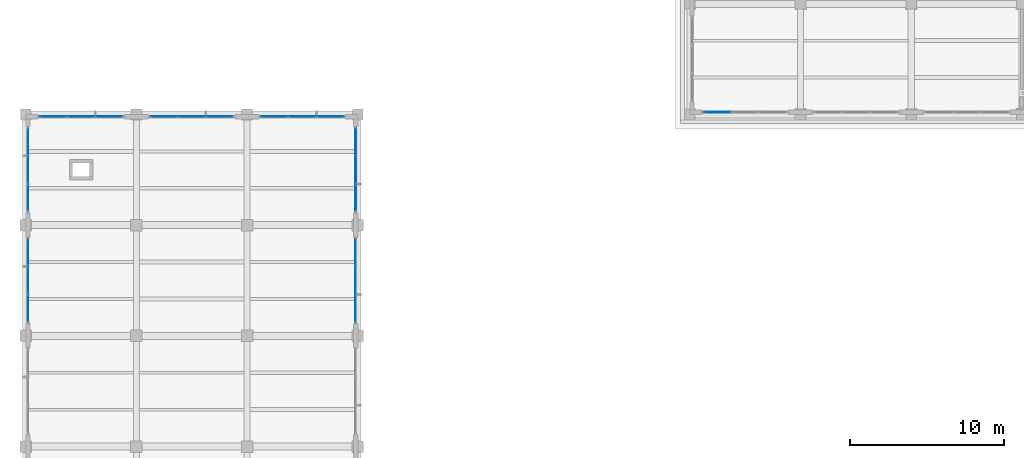
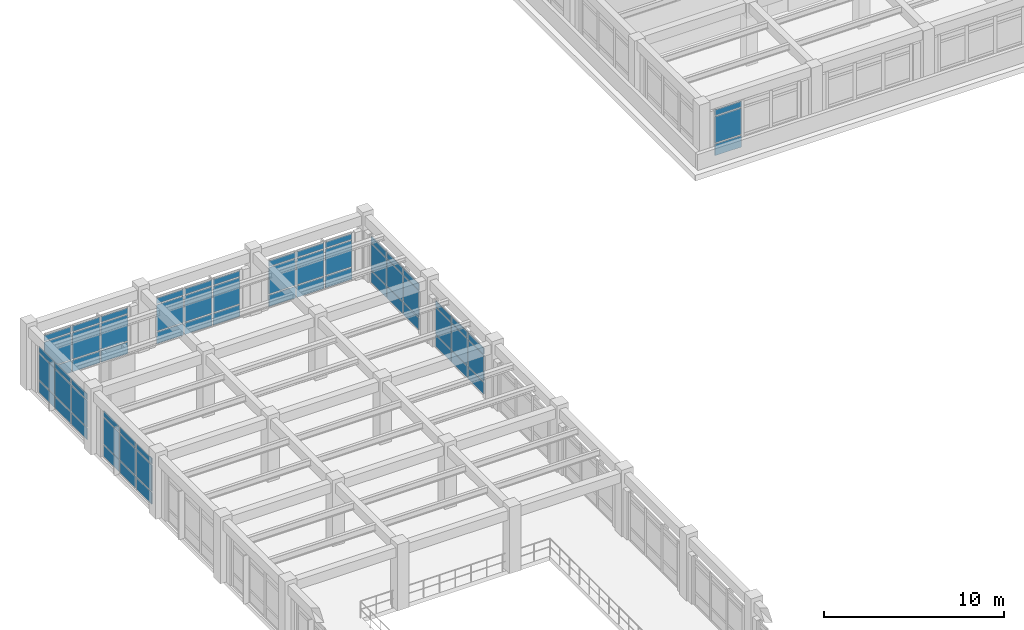
# One storey, part 40 of 64: 66 plates, 8 elements without a shape of their own.
"""IFC4 building model written with IfcOpenShell, lengths in metres."""

from ifc_helpers import new_model, si_unit, direction, frame, origin, origin_2d, place, context, subcontext, project, spatial, rectangle, extrude, material, layer, layer_set, type_object, element, aggregate, save


model = new_model("IFC4")

# Units and contexts
model_context = context("Model", 3, precision=1e-05, world=origin(), true_north=direction((0.0, 1.0)))
body_context = subcontext(model_context, "Body", "Model", "MODEL_VIEW")
ifc_project = project(units=[si_unit("LENGTHUNIT", "METRE"), si_unit("AREAUNIT", "SQUARE_METRE"), si_unit("VOLUMEUNIT", "CUBIC_METRE"), si_unit("PLANEANGLEUNIT", "RADIAN"), si_unit("MASSUNIT", "GRAM", prefix="KILO")], contexts=[model_context])

# Site, building, storey
site_placement = place(None, origin())
site = spatial("IfcSite", under=ifc_project, at=site_placement, CompositionType="ELEMENT")
building_placement = place(site_placement, origin())
building = spatial("IfcBuilding", under=site, at=building_placement, Name="Solenvale Faculty of Natural Sciences", CompositionType="ELEMENT")
storey_placement = place(building_placement, frame((0.0, 0.0, 18.0)))
storey = spatial("IfcBuildingStorey", under=building, at=storey_placement, Name="L04", CompositionType="ELEMENT", Elevation=18.0)

# Curtain wall, plates
ifc_material_1 = material(Name="Anodised bronze aluminium", Category="aluminium")
ifc_layer_1 = layer(ifc_material_1, 0.215087890625)
ifc_layer_set_1 = layer_set([ifc_layer_1], Name="Anodised bronze aluminium")
curtain_wall_type_1 = type_object("IfcCurtainWallType", Name="CW-ATR-UNIT", PredefinedType="USERDEFINED", material=ifc_layer_set_1)
curtain_wall_1_placement = place(storey_placement, origin())
curtain_wall_1 = element("IfcCurtainWall", 1, at=curtain_wall_1_placement, inside=storey, type_object=curtain_wall_type_1, Name="L04 Curtain Wall CW-L04-P1-E2-B1", ObjectType="UNITISED CURTAIN WALL", PredefinedType="USERDEFINED")
ifc_material_2 = material(Name="North-light skylight glass", Category="glass")
ifc_layer_2 = layer(ifc_material_2, 0.028076171875)
ifc_layer_set_2 = layer_set([ifc_layer_2], Name="North-light skylight glass")
plate_type_1 = type_object("IfcPlateType", Name="CWP-PNL-28", PredefinedType="CURTAIN_PANEL", material=ifc_layer_set_2)
plate_1_placement = place(storey_placement, frame((55.814697265625, 93.45751953125, 0.074951171875), z_axis=(0.0, 0.0, 1.0), x_axis=(-1.0, 0.0, 0.0)))
plate_1 = element("IfcPlate", 2, at=plate_1_placement, type_object=plate_type_1, Name="CW-01 panel 1.1", PredefinedType="CURTAIN_PANEL", context=body_context, shape_type="SweptSolid", body=[
    extrude(rectangle(XDim=1.720947265625, YDim=0.028076171875, at=origin_2d()), origin(), (0.0, 0.0, 1.0), 0.78759765625),
])
plate_2_placement = place(storey_placement, frame((55.814697265625, 93.45751953125, 0.9375), z_axis=(0.0, 0.0, 1.0), x_axis=(-1.0, 0.0, 0.0)))
plate_2 = element("IfcPlate", 3, at=plate_2_placement, type_object=plate_type_1, Name="CW-01 panel 1.2", PredefinedType="CURTAIN_PANEL", context=body_context, shape_type="SweptSolid", body=[
    extrude(rectangle(XDim=1.720947265625, YDim=0.028076171875, at=origin_2d()), origin(), (0.0, 0.0, 1.0), 1.784912109375),
])
plate_3_placement = place(storey_placement, frame((55.814697265625, 93.45751953125, 2.79736328125), z_axis=(0.0, 0.0, 1.0), x_axis=(-1.0, 0.0, 0.0)))
plate_3 = element("IfcPlate", 4, at=plate_3_placement, type_object=plate_type_1, Name="CW-01 panel 1.3", PredefinedType="CURTAIN_PANEL", context=body_context, shape_type="SweptSolid", body=[
    extrude(rectangle(XDim=1.720947265625, YDim=0.028076171875, at=origin_2d()), origin(), (0.0, 0.0, 1.0), 0.387451171875),
])
plate_4_placement = place(storey_placement, frame((54.0, 93.45751953125, 0.074951171875), z_axis=(0.0, 0.0, 1.0), x_axis=(-1.0, 0.0, 0.0)))
plate_4 = element("IfcPlate", 5, at=plate_4_placement, type_object=plate_type_1, Name="CW-01 panel 2.1", PredefinedType="CURTAIN_PANEL", context=body_context, shape_type="SweptSolid", body=[
    extrude(rectangle(XDim=1.75830078125, YDim=0.028076171875, at=origin_2d()), origin(), (0.0, 0.0, 1.0), 0.78759765625),
])
plate_5_placement = place(storey_placement, frame((54.0, 93.45751953125, 0.9375), z_axis=(0.0, 0.0, 1.0), x_axis=(-1.0, 0.0, 0.0)))
plate_5 = element("IfcPlate", 6, at=plate_5_placement, type_object=plate_type_1, Name="CW-01 panel 2.2", PredefinedType="CURTAIN_PANEL", context=body_context, shape_type="SweptSolid", body=[
    extrude(rectangle(XDim=1.75830078125, YDim=0.028076171875, at=origin_2d()), origin(), (0.0, 0.0, 1.0), 1.784912109375),
])
plate_6_placement = place(storey_placement, frame((54.0, 93.45751953125, 2.79736328125), z_axis=(0.0, 0.0, 1.0), x_axis=(-1.0, 0.0, 0.0)))
plate_6 = element("IfcPlate", 7, at=plate_6_placement, type_object=plate_type_1, Name="CW-01 panel 2.3", PredefinedType="CURTAIN_PANEL", context=body_context, shape_type="SweptSolid", body=[
    extrude(rectangle(XDim=1.75830078125, YDim=0.028076171875, at=origin_2d()), origin(), (0.0, 0.0, 1.0), 0.387451171875),
])
plate_7_placement = place(storey_placement, frame((52.185302734375, 93.45751953125, 0.074951171875), z_axis=(0.0, 0.0, 1.0), x_axis=(-1.0, 0.0, 0.0)))
plate_7 = element("IfcPlate", 8, at=plate_7_placement, type_object=plate_type_1, Name="CW-01 panel 3.1", PredefinedType="CURTAIN_PANEL", context=body_context, shape_type="SweptSolid", body=[
    extrude(rectangle(XDim=1.720947265625, YDim=0.028076171875, at=origin_2d()), origin(), (0.0, 0.0, 1.0), 0.78759765625),
])
plate_8_placement = place(storey_placement, frame((52.185302734375, 93.45751953125, 0.9375), z_axis=(0.0, 0.0, 1.0), x_axis=(-1.0, 0.0, 0.0)))
plate_8 = element("IfcPlate", 9, at=plate_8_placement, type_object=plate_type_1, Name="CW-01 panel 3.2", PredefinedType="CURTAIN_PANEL", context=body_context, shape_type="SweptSolid", body=[
    extrude(rectangle(XDim=1.720947265625, YDim=0.028076171875, at=origin_2d()), origin(), (0.0, 0.0, 1.0), 1.784912109375),
])
plate_9_placement = place(storey_placement, frame((52.185302734375, 93.45751953125, 2.79736328125), z_axis=(0.0, 0.0, 1.0), x_axis=(-1.0, 0.0, 0.0)))
plate_9 = element("IfcPlate", 10, at=plate_9_placement, type_object=plate_type_1, Name="CW-01 panel 3.3", PredefinedType="CURTAIN_PANEL", context=body_context, shape_type="SweptSolid", body=[
    extrude(rectangle(XDim=1.720947265625, YDim=0.028076171875, at=origin_2d()), origin(), (0.0, 0.0, 1.0), 0.387451171875),
])
aggregate(curtain_wall_1, [plate_1, plate_2, plate_3, plate_4, plate_5, plate_6, plate_7, plate_8, plate_9])

curtain_wall_2_placement = place(storey_placement, origin())
curtain_wall_2 = element("IfcCurtainWall", 11, at=curtain_wall_2_placement, inside=storey, type_object=curtain_wall_type_1, Name="L04 Curtain Wall CW-L04-P1-E2-B2", ObjectType="UNITISED CURTAIN WALL", PredefinedType="USERDEFINED")
ifc_material_3 = material(Name="Triple low-E insulated glass", Category="glass")
ifc_layer_3 = layer(ifc_material_3, 0.031982421875)
ifc_layer_set_3 = layer_set([ifc_layer_3], Name="Triple low-E insulated glass")
plate_type_2 = type_object("IfcPlateType", Name="CWP-PNL-32", PredefinedType="CURTAIN_PANEL", material=ifc_layer_set_3)
plate_10_placement = place(storey_placement, frame((48.614501953125, 93.45751953125, 0.074951171875), z_axis=(0.0, 0.0, 1.0), x_axis=(-1.0, 0.0, 0.0)))
plate_10 = element("IfcPlate", 12, at=plate_10_placement, type_object=plate_type_2, Name="CW-01 panel 1.1", PredefinedType="CURTAIN_PANEL", context=body_context, shape_type="SweptSolid", body=[
    extrude(rectangle(XDim=1.720947265625, YDim=0.031982421875, at=origin_2d()), origin(), (0.0, 0.0, 1.0), 0.78759765625),
])
plate_11_placement = place(storey_placement, frame((48.614501953125, 93.45751953125, 0.9375), z_axis=(0.0, 0.0, 1.0), x_axis=(-1.0, 0.0, 0.0)))
plate_11 = element("IfcPlate", 13, at=plate_11_placement, type_object=plate_type_2, Name="CW-01 panel 1.2", PredefinedType="CURTAIN_PANEL", context=body_context, shape_type="SweptSolid", body=[
    extrude(rectangle(XDim=1.720947265625, YDim=0.031982421875, at=origin_2d()), origin(), (0.0, 0.0, 1.0), 1.784912109375),
])
plate_12_placement = place(storey_placement, frame((48.614501953125, 93.45751953125, 2.79736328125), z_axis=(0.0, 0.0, 1.0), x_axis=(-1.0, 0.0, 0.0)))
plate_12 = element("IfcPlate", 14, at=plate_12_placement, type_object=plate_type_2, Name="CW-01 panel 1.3", PredefinedType="CURTAIN_PANEL", context=body_context, shape_type="SweptSolid", body=[
    extrude(rectangle(XDim=1.720947265625, YDim=0.031982421875, at=origin_2d()), origin(), (0.0, 0.0, 1.0), 0.387451171875),
])
plate_13_placement = place(storey_placement, frame((46.800048828125, 93.45751953125, 0.074951171875), z_axis=(0.0, 0.0, 1.0), x_axis=(-1.0, 0.0, 0.0)))
plate_13 = element("IfcPlate", 15, at=plate_13_placement, type_object=plate_type_2, Name="CW-01 panel 2.1", PredefinedType="CURTAIN_PANEL", context=body_context, shape_type="SweptSolid", body=[
    extrude(rectangle(XDim=1.75830078125, YDim=0.031982421875, at=origin_2d()), origin(), (0.0, 0.0, 1.0), 0.78759765625),
])
plate_14_placement = place(storey_placement, frame((46.800048828125, 93.45751953125, 0.9375), z_axis=(0.0, 0.0, 1.0), x_axis=(-1.0, 0.0, 0.0)))
plate_14 = element("IfcPlate", 16, at=plate_14_placement, type_object=plate_type_2, Name="CW-01 panel 2.2", PredefinedType="CURTAIN_PANEL", context=body_context, shape_type="SweptSolid", body=[
    extrude(rectangle(XDim=1.75830078125, YDim=0.031982421875, at=origin_2d()), origin(), (0.0, 0.0, 1.0), 1.784912109375),
])
plate_15_placement = place(storey_placement, frame((46.800048828125, 93.45751953125, 2.79736328125), z_axis=(0.0, 0.0, 1.0), x_axis=(-1.0, 0.0, 0.0)))
plate_15 = element("IfcPlate", 17, at=plate_15_placement, type_object=plate_type_2, Name="CW-01 panel 2.3", PredefinedType="CURTAIN_PANEL", context=body_context, shape_type="SweptSolid", body=[
    extrude(rectangle(XDim=1.75830078125, YDim=0.031982421875, at=origin_2d()), origin(), (0.0, 0.0, 1.0), 0.387451171875),
])
plate_16_placement = place(storey_placement, frame((44.9853515625, 93.45751953125, 0.074951171875), z_axis=(0.0, 0.0, 1.0), x_axis=(-1.0, 0.0, 0.0)))
plate_16 = element("IfcPlate", 18, at=plate_16_placement, type_object=plate_type_2, Name="CW-01 panel 3.1", PredefinedType="CURTAIN_PANEL", context=body_context, shape_type="SweptSolid", body=[
    extrude(rectangle(XDim=1.720947265625, YDim=0.031982421875, at=origin_2d()), origin(), (0.0, 0.0, 1.0), 0.78759765625),
])
plate_17_placement = place(storey_placement, frame((44.9853515625, 93.45751953125, 0.9375), z_axis=(0.0, 0.0, 1.0), x_axis=(-1.0, 0.0, 0.0)))
plate_17 = element("IfcPlate", 19, at=plate_17_placement, type_object=plate_type_2, Name="CW-01 panel 3.2", PredefinedType="CURTAIN_PANEL", context=body_context, shape_type="SweptSolid", body=[
    extrude(rectangle(XDim=1.720947265625, YDim=0.031982421875, at=origin_2d()), origin(), (0.0, 0.0, 1.0), 1.784912109375),
])
plate_18_placement = place(storey_placement, frame((44.9853515625, 93.45751953125, 2.79736328125), z_axis=(0.0, 0.0, 1.0), x_axis=(-1.0, 0.0, 0.0)))
plate_18 = element("IfcPlate", 20, at=plate_18_placement, type_object=plate_type_2, Name="CW-01 panel 3.3", PredefinedType="CURTAIN_PANEL", context=body_context, shape_type="SweptSolid", body=[
    extrude(rectangle(XDim=1.720947265625, YDim=0.031982421875, at=origin_2d()), origin(), (0.0, 0.0, 1.0), 0.387451171875),
])
aggregate(curtain_wall_2, [plate_10, plate_11, plate_12, plate_13, plate_14, plate_15, plate_16, plate_17, plate_18])

curtain_wall_3_placement = place(storey_placement, origin())
curtain_wall_3 = element("IfcCurtainWall", 21, at=curtain_wall_3_placement, inside=storey, type_object=curtain_wall_type_1, Name="L04 Curtain Wall CW-L04-P1-E3-B1", ObjectType="UNITISED CURTAIN WALL", PredefinedType="USERDEFINED")
plate_19_placement = place(storey_placement, frame((36.142578125, 91.814697265625, 0.074951171875), z_axis=(0.0, 0.0, 1.0), x_axis=(0.0, -1.0, 0.0)))
plate_19 = element("IfcPlate", 22, at=plate_19_placement, type_object=plate_type_2, Name="CW-01 panel 1.1", PredefinedType="CURTAIN_PANEL", context=body_context, shape_type="SweptSolid", body=[
    extrude(rectangle(XDim=1.720947265625, YDim=0.031982421875, at=origin_2d()), origin(), (0.0, 0.0, 1.0), 0.78759765625),
])
plate_20_placement = place(storey_placement, frame((36.142578125, 91.814697265625, 0.9375), z_axis=(0.0, 0.0, 1.0), x_axis=(0.0, -1.0, 0.0)))
plate_20 = element("IfcPlate", 23, at=plate_20_placement, type_object=plate_type_2, Name="CW-01 panel 1.2", PredefinedType="CURTAIN_PANEL", context=body_context, shape_type="SweptSolid", body=[
    extrude(rectangle(XDim=1.720947265625, YDim=0.031982421875, at=origin_2d()), origin(), (0.0, 0.0, 1.0), 1.784912109375),
])
plate_21_placement = place(storey_placement, frame((36.142578125, 91.814697265625, 2.79736328125), z_axis=(0.0, 0.0, 1.0), x_axis=(0.0, -1.0, 0.0)))
plate_21 = element("IfcPlate", 24, at=plate_21_placement, type_object=plate_type_2, Name="CW-01 panel 1.3", PredefinedType="CURTAIN_PANEL", context=body_context, shape_type="SweptSolid", body=[
    extrude(rectangle(XDim=1.720947265625, YDim=0.031982421875, at=origin_2d()), origin(), (0.0, 0.0, 1.0), 0.387451171875),
])
plate_22_placement = place(storey_placement, frame((36.142578125, 90.0, 0.074951171875), z_axis=(0.0, 0.0, 1.0), x_axis=(0.0, -1.0, 0.0)))
plate_22 = element("IfcPlate", 25, at=plate_22_placement, type_object=plate_type_2, Name="CW-01 panel 2.1", PredefinedType="CURTAIN_PANEL", context=body_context, shape_type="SweptSolid", body=[
    extrude(rectangle(XDim=1.75830078125, YDim=0.031982421875, at=origin_2d()), origin(), (0.0, 0.0, 1.0), 0.78759765625),
])
plate_23_placement = place(storey_placement, frame((36.142578125, 90.0, 0.9375), z_axis=(0.0, 0.0, 1.0), x_axis=(0.0, -1.0, 0.0)))
plate_23 = element("IfcPlate", 26, at=plate_23_placement, type_object=plate_type_2, Name="CW-01 panel 2.2", PredefinedType="CURTAIN_PANEL", context=body_context, shape_type="SweptSolid", body=[
    extrude(rectangle(XDim=1.75830078125, YDim=0.031982421875, at=origin_2d()), origin(), (0.0, 0.0, 1.0), 1.784912109375),
])
plate_24_placement = place(storey_placement, frame((36.142578125, 90.0, 2.79736328125), z_axis=(0.0, 0.0, 1.0), x_axis=(0.0, -1.0, 0.0)))
plate_24 = element("IfcPlate", 27, at=plate_24_placement, type_object=plate_type_2, Name="CW-01 panel 2.3", PredefinedType="CURTAIN_PANEL", context=body_context, shape_type="SweptSolid", body=[
    extrude(rectangle(XDim=1.75830078125, YDim=0.031982421875, at=origin_2d()), origin(), (0.0, 0.0, 1.0), 0.387451171875),
])
plate_25_placement = place(storey_placement, frame((36.142578125, 88.185302734375, 0.074951171875), z_axis=(0.0, 0.0, 1.0), x_axis=(0.0, -1.0, 0.0)))
plate_25 = element("IfcPlate", 28, at=plate_25_placement, type_object=plate_type_2, Name="CW-01 panel 3.1", PredefinedType="CURTAIN_PANEL", context=body_context, shape_type="SweptSolid", body=[
    extrude(rectangle(XDim=1.720947265625, YDim=0.031982421875, at=origin_2d()), origin(), (0.0, 0.0, 1.0), 0.78759765625),
])
plate_26_placement = place(storey_placement, frame((36.142578125, 88.185302734375, 0.9375), z_axis=(0.0, 0.0, 1.0), x_axis=(0.0, -1.0, 0.0)))
plate_26 = element("IfcPlate", 29, at=plate_26_placement, type_object=plate_type_2, Name="CW-01 panel 3.2", PredefinedType="CURTAIN_PANEL", context=body_context, shape_type="SweptSolid", body=[
    extrude(rectangle(XDim=1.720947265625, YDim=0.031982421875, at=origin_2d()), origin(), (0.0, 0.0, 1.0), 1.784912109375),
])
plate_27_placement = place(storey_placement, frame((36.142578125, 88.185302734375, 2.79736328125), z_axis=(0.0, 0.0, 1.0), x_axis=(0.0, -1.0, 0.0)))
plate_27 = element("IfcPlate", 30, at=plate_27_placement, type_object=plate_type_2, Name="CW-01 panel 3.3", PredefinedType="CURTAIN_PANEL", context=body_context, shape_type="SweptSolid", body=[
    extrude(rectangle(XDim=1.720947265625, YDim=0.031982421875, at=origin_2d()), origin(), (0.0, 0.0, 1.0), 0.387451171875),
])
aggregate(curtain_wall_3, [plate_19, plate_20, plate_21, plate_22, plate_23, plate_24, plate_25, plate_26, plate_27])

curtain_wall_4_placement = place(storey_placement, origin())
curtain_wall_4 = element("IfcCurtainWall", 31, at=curtain_wall_4_placement, inside=storey, type_object=curtain_wall_type_1, Name="L04 Curtain Wall CW-L04-P1-E2-B3", ObjectType="UNITISED CURTAIN WALL", PredefinedType="USERDEFINED")
ifc_layer_4 = layer(ifc_material_3, 0.035888671875)
ifc_layer_set_4 = layer_set([ifc_layer_4], Name="Triple low-E insulated glass")
plate_type_3 = type_object("IfcPlateType", Name="CWP-PNL-36", PredefinedType="CURTAIN_PANEL", material=ifc_layer_set_4)
plate_28_placement = place(storey_placement, frame((41.41455078125, 93.45751953125, 0.074951171875), z_axis=(0.0, 0.0, 1.0), x_axis=(-1.0, 0.0, 0.0)))
plate_28 = element("IfcPlate", 32, at=plate_28_placement, type_object=plate_type_3, Name="CW-01 panel 1.1", PredefinedType="CURTAIN_PANEL", context=body_context, shape_type="SweptSolid", body=[
    extrude(rectangle(XDim=1.720947265625, YDim=0.035888671875, at=origin_2d()), origin(), (0.0, 0.0, 1.0), 0.78759765625),
])
plate_29_placement = place(storey_placement, frame((41.41455078125, 93.45751953125, 0.9375), z_axis=(0.0, 0.0, 1.0), x_axis=(-1.0, 0.0, 0.0)))
plate_29 = element("IfcPlate", 33, at=plate_29_placement, type_object=plate_type_3, Name="CW-01 panel 1.2", PredefinedType="CURTAIN_PANEL", context=body_context, shape_type="SweptSolid", body=[
    extrude(rectangle(XDim=1.720947265625, YDim=0.035888671875, at=origin_2d()), origin(), (0.0, 0.0, 1.0), 1.784912109375),
])
plate_30_placement = place(storey_placement, frame((41.41455078125, 93.45751953125, 2.79736328125), z_axis=(0.0, 0.0, 1.0), x_axis=(-1.0, 0.0, 0.0)))
plate_30 = element("IfcPlate", 34, at=plate_30_placement, type_object=plate_type_3, Name="CW-01 panel 1.3", PredefinedType="CURTAIN_PANEL", context=body_context, shape_type="SweptSolid", body=[
    extrude(rectangle(XDim=1.720947265625, YDim=0.035888671875, at=origin_2d()), origin(), (0.0, 0.0, 1.0), 0.387451171875),
])
plate_31_placement = place(storey_placement, frame((39.60009765625, 93.45751953125, 0.074951171875), z_axis=(0.0, 0.0, 1.0), x_axis=(-1.0, 0.0, 0.0)))
plate_31 = element("IfcPlate", 35, at=plate_31_placement, type_object=plate_type_3, Name="CW-01 panel 2.1", PredefinedType="CURTAIN_PANEL", context=body_context, shape_type="SweptSolid", body=[
    extrude(rectangle(XDim=1.75830078125, YDim=0.035888671875, at=origin_2d()), origin(), (0.0, 0.0, 1.0), 0.78759765625),
])
plate_32_placement = place(storey_placement, frame((39.60009765625, 93.45751953125, 0.9375), z_axis=(0.0, 0.0, 1.0), x_axis=(-1.0, 0.0, 0.0)))
plate_32 = element("IfcPlate", 36, at=plate_32_placement, type_object=plate_type_3, Name="CW-01 panel 2.2", PredefinedType="CURTAIN_PANEL", context=body_context, shape_type="SweptSolid", body=[
    extrude(rectangle(XDim=1.75830078125, YDim=0.035888671875, at=origin_2d()), origin(), (0.0, 0.0, 1.0), 1.784912109375),
])
plate_33_placement = place(storey_placement, frame((39.60009765625, 93.45751953125, 2.79736328125), z_axis=(0.0, 0.0, 1.0), x_axis=(-1.0, 0.0, 0.0)))
plate_33 = element("IfcPlate", 37, at=plate_33_placement, type_object=plate_type_3, Name="CW-01 panel 2.3", PredefinedType="CURTAIN_PANEL", context=body_context, shape_type="SweptSolid", body=[
    extrude(rectangle(XDim=1.75830078125, YDim=0.035888671875, at=origin_2d()), origin(), (0.0, 0.0, 1.0), 0.387451171875),
])
plate_34_placement = place(storey_placement, frame((37.785400390625, 93.45751953125, 0.074951171875), z_axis=(0.0, 0.0, 1.0), x_axis=(-1.0, 0.0, 0.0)))
plate_34 = element("IfcPlate", 38, at=plate_34_placement, type_object=plate_type_3, Name="CW-01 panel 3.1", PredefinedType="CURTAIN_PANEL", context=body_context, shape_type="SweptSolid", body=[
    extrude(rectangle(XDim=1.720947265625, YDim=0.035888671875, at=origin_2d()), origin(), (0.0, 0.0, 1.0), 0.78759765625),
])
plate_35_placement = place(storey_placement, frame((37.785400390625, 93.45751953125, 0.9375), z_axis=(0.0, 0.0, 1.0), x_axis=(-1.0, 0.0, 0.0)))
plate_35 = element("IfcPlate", 39, at=plate_35_placement, type_object=plate_type_3, Name="CW-01 panel 3.2", PredefinedType="CURTAIN_PANEL", context=body_context, shape_type="SweptSolid", body=[
    extrude(rectangle(XDim=1.720947265625, YDim=0.035888671875, at=origin_2d()), origin(), (0.0, 0.0, 1.0), 1.784912109375),
])
plate_36_placement = place(storey_placement, frame((37.785400390625, 93.45751953125, 2.79736328125), z_axis=(0.0, 0.0, 1.0), x_axis=(-1.0, 0.0, 0.0)))
plate_36 = element("IfcPlate", 40, at=plate_36_placement, type_object=plate_type_3, Name="CW-01 panel 3.3", PredefinedType="CURTAIN_PANEL", context=body_context, shape_type="SweptSolid", body=[
    extrude(rectangle(XDim=1.720947265625, YDim=0.035888671875, at=origin_2d()), origin(), (0.0, 0.0, 1.0), 0.387451171875),
])
aggregate(curtain_wall_4, [plate_28, plate_29, plate_30, plate_31, plate_32, plate_33, plate_34, plate_35, plate_36])

curtain_wall_5_placement = place(storey_placement, origin())
curtain_wall_5 = element("IfcCurtainWall", 41, at=curtain_wall_5_placement, inside=storey, type_object=curtain_wall_type_1, Name="L04 Curtain Wall CW-L04-P1-E3-B2", ObjectType="UNITISED CURTAIN WALL", PredefinedType="USERDEFINED")
plate_37_placement = place(storey_placement, frame((36.142578125, 84.614501953125, 0.074951171875), z_axis=(0.0, 0.0, 1.0), x_axis=(0.0, -1.0, 0.0)))
plate_37 = element("IfcPlate", 42, at=plate_37_placement, type_object=plate_type_3, Name="CW-01 panel 1.1", PredefinedType="CURTAIN_PANEL", context=body_context, shape_type="SweptSolid", body=[
    extrude(rectangle(XDim=1.720947265625, YDim=0.035888671875, at=origin_2d()), origin(), (0.0, 0.0, 1.0), 0.78759765625),
])
plate_38_placement = place(storey_placement, frame((36.142578125, 84.614501953125, 0.9375), z_axis=(0.0, 0.0, 1.0), x_axis=(0.0, -1.0, 0.0)))
plate_38 = element("IfcPlate", 43, at=plate_38_placement, type_object=plate_type_3, Name="CW-01 panel 1.2", PredefinedType="CURTAIN_PANEL", context=body_context, shape_type="SweptSolid", body=[
    extrude(rectangle(XDim=1.720947265625, YDim=0.035888671875, at=origin_2d()), origin(), (0.0, 0.0, 1.0), 1.784912109375),
])
plate_39_placement = place(storey_placement, frame((36.142578125, 84.614501953125, 2.79736328125), z_axis=(0.0, 0.0, 1.0), x_axis=(0.0, -1.0, 0.0)))
plate_39 = element("IfcPlate", 44, at=plate_39_placement, type_object=plate_type_3, Name="CW-01 panel 1.3", PredefinedType="CURTAIN_PANEL", context=body_context, shape_type="SweptSolid", body=[
    extrude(rectangle(XDim=1.720947265625, YDim=0.035888671875, at=origin_2d()), origin(), (0.0, 0.0, 1.0), 0.387451171875),
])
plate_40_placement = place(storey_placement, frame((36.142578125, 82.800048828125, 0.074951171875), z_axis=(0.0, 0.0, 1.0), x_axis=(0.0, -1.0, 0.0)))
plate_40 = element("IfcPlate", 45, at=plate_40_placement, type_object=plate_type_3, Name="CW-01 panel 2.1", PredefinedType="CURTAIN_PANEL", context=body_context, shape_type="SweptSolid", body=[
    extrude(rectangle(XDim=1.75830078125, YDim=0.035888671875, at=origin_2d()), origin(), (0.0, 0.0, 1.0), 0.78759765625),
])
plate_41_placement = place(storey_placement, frame((36.142578125, 82.800048828125, 0.9375), z_axis=(0.0, 0.0, 1.0), x_axis=(0.0, -1.0, 0.0)))
plate_41 = element("IfcPlate", 46, at=plate_41_placement, type_object=plate_type_3, Name="CW-01 panel 2.2", PredefinedType="CURTAIN_PANEL", context=body_context, shape_type="SweptSolid", body=[
    extrude(rectangle(XDim=1.75830078125, YDim=0.035888671875, at=origin_2d()), origin(), (0.0, 0.0, 1.0), 1.784912109375),
])
plate_42_placement = place(storey_placement, frame((36.142578125, 82.800048828125, 2.79736328125), z_axis=(0.0, 0.0, 1.0), x_axis=(0.0, -1.0, 0.0)))
plate_42 = element("IfcPlate", 47, at=plate_42_placement, type_object=plate_type_3, Name="CW-01 panel 2.3", PredefinedType="CURTAIN_PANEL", context=body_context, shape_type="SweptSolid", body=[
    extrude(rectangle(XDim=1.75830078125, YDim=0.035888671875, at=origin_2d()), origin(), (0.0, 0.0, 1.0), 0.387451171875),
])
plate_43_placement = place(storey_placement, frame((36.142578125, 80.9853515625, 0.074951171875), z_axis=(0.0, 0.0, 1.0), x_axis=(0.0, -1.0, 0.0)))
plate_43 = element("IfcPlate", 48, at=plate_43_placement, type_object=plate_type_3, Name="CW-01 panel 3.1", PredefinedType="CURTAIN_PANEL", context=body_context, shape_type="SweptSolid", body=[
    extrude(rectangle(XDim=1.720947265625, YDim=0.035888671875, at=origin_2d()), origin(), (0.0, 0.0, 1.0), 0.78759765625),
])
plate_44_placement = place(storey_placement, frame((36.142578125, 80.9853515625, 0.9375), z_axis=(0.0, 0.0, 1.0), x_axis=(0.0, -1.0, 0.0)))
plate_44 = element("IfcPlate", 49, at=plate_44_placement, type_object=plate_type_3, Name="CW-01 panel 3.2", PredefinedType="CURTAIN_PANEL", context=body_context, shape_type="SweptSolid", body=[
    extrude(rectangle(XDim=1.720947265625, YDim=0.035888671875, at=origin_2d()), origin(), (0.0, 0.0, 1.0), 1.784912109375),
])
plate_45_placement = place(storey_placement, frame((36.142578125, 80.9853515625, 2.79736328125), z_axis=(0.0, 0.0, 1.0), x_axis=(0.0, -1.0, 0.0)))
plate_45 = element("IfcPlate", 50, at=plate_45_placement, type_object=plate_type_3, Name="CW-01 panel 3.3", PredefinedType="CURTAIN_PANEL", context=body_context, shape_type="SweptSolid", body=[
    extrude(rectangle(XDim=1.720947265625, YDim=0.035888671875, at=origin_2d()), origin(), (0.0, 0.0, 1.0), 0.387451171875),
])
aggregate(curtain_wall_5, [plate_37, plate_38, plate_39, plate_40, plate_41, plate_42, plate_43, plate_44, plate_45])

ifc_layer_5 = layer(ifc_material_1, 0.179931640625)
ifc_layer_set_5 = layer_set([ifc_layer_5], Name="Anodised bronze aluminium")
curtain_wall_type_2 = type_object("IfcCurtainWallType", Name="CW-TWR-MOD", PredefinedType="USERDEFINED", material=ifc_layer_set_5)
curtain_wall_6_placement = place(storey_placement, origin())
curtain_wall_6 = element("IfcCurtainWall", 51, at=curtain_wall_6_placement, inside=storey, type_object=curtain_wall_type_2, Name="L04 Curtain Wall CW-L04-P3-E6-B1", ObjectType="UNITISED CURTAIN WALL", PredefinedType="USERDEFINED")
ifc_layer_6 = layer(ifc_material_3, 0.0439453125)
ifc_layer_set_6 = layer_set([ifc_layer_6], Name="Triple low-E insulated glass")
plate_type_4 = type_object("IfcPlateType", Name="CWP-PNL-44", PredefinedType="CURTAIN_PANEL", material=ifc_layer_set_6)
plate_46_placement = place(storey_placement, frame((80.9853515625, 93.742431640625, 0.074951171875), z_axis=(0.0, 0.0, 1.0), x_axis=(1.0, 0.0, 0.0)))
plate_46 = element("IfcPlate", 52, at=plate_46_placement, type_object=plate_type_4, Name="CW-04 panel 1.1", PredefinedType="CURTAIN_PANEL", context=body_context, shape_type="SweptSolid", body=[
    extrude(rectangle(XDim=1.720947265625, YDim=0.0439453125, at=origin_2d()), origin(), (0.0, 0.0, 1.0), 0.78759765625),
])
plate_47_placement = place(storey_placement, frame((80.9853515625, 93.742431640625, 0.9375), z_axis=(0.0, 0.0, 1.0), x_axis=(1.0, 0.0, 0.0)))
plate_47 = element("IfcPlate", 53, at=plate_47_placement, type_object=plate_type_4, Name="CW-04 panel 1.2", PredefinedType="CURTAIN_PANEL", context=body_context, shape_type="SweptSolid", body=[
    extrude(rectangle(XDim=1.720947265625, YDim=0.0439453125, at=origin_2d()), origin(), (0.0, 0.0, 1.0), 1.784912109375),
])
plate_48_placement = place(storey_placement, frame((80.9853515625, 93.742431640625, 2.79736328125), z_axis=(0.0, 0.0, 1.0), x_axis=(1.0, 0.0, 0.0)))
plate_48 = element("IfcPlate", 54, at=plate_48_placement, type_object=plate_type_4, Name="CW-04 panel 1.3", PredefinedType="CURTAIN_PANEL", context=body_context, shape_type="SweptSolid", body=[
    extrude(rectangle(XDim=1.720947265625, YDim=0.0439453125, at=origin_2d()), origin(), (0.0, 0.0, 1.0), 0.387451171875),
])
aggregate(curtain_wall_6, [plate_46, plate_47, plate_48])

curtain_wall_7_placement = place(storey_placement, origin())
curtain_wall_7 = element("IfcCurtainWall", 55, at=curtain_wall_7_placement, inside=storey, type_object=curtain_wall_type_1, Name="L04 Curtain Wall CW-L04-P1-E1-B7", ObjectType="UNITISED CURTAIN WALL", PredefinedType="USERDEFINED")
ifc_layer_7 = layer(ifc_material_1, 0.048095703125)
ifc_layer_set_7 = layer_set([ifc_layer_7], Name="Anodised bronze aluminium")
plate_type_5 = type_object("IfcPlateType", Name="CWP-PNL-48", PredefinedType="CURTAIN_PANEL", material=ifc_layer_set_7)
plate_49_placement = place(storey_placement, frame((57.45751953125, 80.9853515625, 0.074951171875), z_axis=(0.0, 0.0, 1.0), x_axis=(0.0, 1.0, 0.0)))
plate_49 = element("IfcPlate", 56, at=plate_49_placement, type_object=plate_type_5, Name="CW-01 panel 1.1", PredefinedType="CURTAIN_PANEL", context=body_context, shape_type="SweptSolid", body=[
    extrude(rectangle(XDim=1.720947265625, YDim=0.048095703125, at=origin_2d()), origin(), (0.0, 0.0, 1.0), 0.78759765625),
])
plate_50_placement = place(storey_placement, frame((57.45751953125, 80.9853515625, 0.9375), z_axis=(0.0, 0.0, 1.0), x_axis=(0.0, 1.0, 0.0)))
plate_50 = element("IfcPlate", 57, at=plate_50_placement, type_object=plate_type_5, Name="CW-01 panel 1.2", PredefinedType="CURTAIN_PANEL", context=body_context, shape_type="SweptSolid", body=[
    extrude(rectangle(XDim=1.720947265625, YDim=0.048095703125, at=origin_2d()), origin(), (0.0, 0.0, 1.0), 1.784912109375),
])
plate_51_placement = place(storey_placement, frame((57.45751953125, 80.9853515625, 2.79736328125), z_axis=(0.0, 0.0, 1.0), x_axis=(0.0, 1.0, 0.0)))
plate_51 = element("IfcPlate", 58, at=plate_51_placement, type_object=plate_type_5, Name="CW-01 panel 1.3", PredefinedType="CURTAIN_PANEL", context=body_context, shape_type="SweptSolid", body=[
    extrude(rectangle(XDim=1.720947265625, YDim=0.048095703125, at=origin_2d()), origin(), (0.0, 0.0, 1.0), 0.387451171875),
])
plate_52_placement = place(storey_placement, frame((57.45751953125, 82.800048828125, 0.074951171875), z_axis=(0.0, 0.0, 1.0), x_axis=(0.0, 1.0, 0.0)))
plate_52 = element("IfcPlate", 59, at=plate_52_placement, type_object=plate_type_5, Name="CW-01 panel 2.1", PredefinedType="CURTAIN_PANEL", context=body_context, shape_type="SweptSolid", body=[
    extrude(rectangle(XDim=1.75830078125, YDim=0.048095703125, at=origin_2d()), origin(), (0.0, 0.0, 1.0), 0.78759765625),
])
plate_53_placement = place(storey_placement, frame((57.45751953125, 82.800048828125, 0.9375), z_axis=(0.0, 0.0, 1.0), x_axis=(0.0, 1.0, 0.0)))
plate_53 = element("IfcPlate", 60, at=plate_53_placement, type_object=plate_type_5, Name="CW-01 panel 2.2", PredefinedType="CURTAIN_PANEL", context=body_context, shape_type="SweptSolid", body=[
    extrude(rectangle(XDim=1.75830078125, YDim=0.048095703125, at=origin_2d()), origin(), (0.0, 0.0, 1.0), 1.784912109375),
])
plate_54_placement = place(storey_placement, frame((57.45751953125, 82.800048828125, 2.79736328125), z_axis=(0.0, 0.0, 1.0), x_axis=(0.0, 1.0, 0.0)))
plate_54 = element("IfcPlate", 61, at=plate_54_placement, type_object=plate_type_5, Name="CW-01 panel 2.3", PredefinedType="CURTAIN_PANEL", context=body_context, shape_type="SweptSolid", body=[
    extrude(rectangle(XDim=1.75830078125, YDim=0.048095703125, at=origin_2d()), origin(), (0.0, 0.0, 1.0), 0.387451171875),
])
plate_55_placement = place(storey_placement, frame((57.45751953125, 84.614501953125, 0.074951171875), z_axis=(0.0, 0.0, 1.0), x_axis=(0.0, 1.0, 0.0)))
plate_55 = element("IfcPlate", 62, at=plate_55_placement, type_object=plate_type_5, Name="CW-01 panel 3.1", PredefinedType="CURTAIN_PANEL", context=body_context, shape_type="SweptSolid", body=[
    extrude(rectangle(XDim=1.720947265625, YDim=0.048095703125, at=origin_2d()), origin(), (0.0, 0.0, 1.0), 0.78759765625),
])
plate_56_placement = place(storey_placement, frame((57.45751953125, 84.614501953125, 0.9375), z_axis=(0.0, 0.0, 1.0), x_axis=(0.0, 1.0, 0.0)))
plate_56 = element("IfcPlate", 63, at=plate_56_placement, type_object=plate_type_5, Name="CW-01 panel 3.2", PredefinedType="CURTAIN_PANEL", context=body_context, shape_type="SweptSolid", body=[
    extrude(rectangle(XDim=1.720947265625, YDim=0.048095703125, at=origin_2d()), origin(), (0.0, 0.0, 1.0), 1.784912109375),
])
plate_57_placement = place(storey_placement, frame((57.45751953125, 84.614501953125, 2.79736328125), z_axis=(0.0, 0.0, 1.0), x_axis=(0.0, 1.0, 0.0)))
plate_57 = element("IfcPlate", 64, at=plate_57_placement, type_object=plate_type_5, Name="CW-01 panel 3.3", PredefinedType="CURTAIN_PANEL", context=body_context, shape_type="SweptSolid", body=[
    extrude(rectangle(XDim=1.720947265625, YDim=0.048095703125, at=origin_2d()), origin(), (0.0, 0.0, 1.0), 0.387451171875),
])
aggregate(curtain_wall_7, [plate_49, plate_50, plate_51, plate_52, plate_53, plate_54, plate_55, plate_56, plate_57])

curtain_wall_8_placement = place(storey_placement, origin())
curtain_wall_8 = element("IfcCurtainWall", 65, at=curtain_wall_8_placement, inside=storey, type_object=curtain_wall_type_1, Name="L04 Curtain Wall CW-L04-P1-E1-B8", ObjectType="UNITISED CURTAIN WALL", PredefinedType="USERDEFINED")
ifc_layer_8 = layer(ifc_material_1, 0.053955078125)
ifc_layer_set_8 = layer_set([ifc_layer_8], Name="Anodised bronze aluminium")
plate_type_6 = type_object("IfcPlateType", Name="CWP-PNL-54", PredefinedType="CURTAIN_PANEL", material=ifc_layer_set_8)
plate_58_placement = place(storey_placement, frame((57.45751953125, 88.185302734375, 0.074951171875), z_axis=(0.0, 0.0, 1.0), x_axis=(0.0, 1.0, 0.0)))
plate_58 = element("IfcPlate", 66, at=plate_58_placement, type_object=plate_type_6, Name="CW-01 panel 1.1", PredefinedType="CURTAIN_PANEL", context=body_context, shape_type="SweptSolid", body=[
    extrude(rectangle(XDim=1.720947265625, YDim=0.053955078125, at=origin_2d()), origin(), (0.0, 0.0, 1.0), 0.78759765625),
])
plate_59_placement = place(storey_placement, frame((57.45751953125, 88.185302734375, 0.9375), z_axis=(0.0, 0.0, 1.0), x_axis=(0.0, 1.0, 0.0)))
plate_59 = element("IfcPlate", 67, at=plate_59_placement, type_object=plate_type_6, Name="CW-01 panel 1.2", PredefinedType="CURTAIN_PANEL", context=body_context, shape_type="SweptSolid", body=[
    extrude(rectangle(XDim=1.720947265625, YDim=0.053955078125, at=origin_2d()), origin(), (0.0, 0.0, 1.0), 1.784912109375),
])
plate_60_placement = place(storey_placement, frame((57.45751953125, 88.185302734375, 2.79736328125), z_axis=(0.0, 0.0, 1.0), x_axis=(0.0, 1.0, 0.0)))
plate_60 = element("IfcPlate", 68, at=plate_60_placement, type_object=plate_type_6, Name="CW-01 panel 1.3", PredefinedType="CURTAIN_PANEL", context=body_context, shape_type="SweptSolid", body=[
    extrude(rectangle(XDim=1.720947265625, YDim=0.053955078125, at=origin_2d()), origin(), (0.0, 0.0, 1.0), 0.387451171875),
])
plate_61_placement = place(storey_placement, frame((57.45751953125, 90.0, 0.074951171875), z_axis=(0.0, 0.0, 1.0), x_axis=(0.0, 1.0, 0.0)))
plate_61 = element("IfcPlate", 69, at=plate_61_placement, type_object=plate_type_6, Name="CW-01 panel 2.1", PredefinedType="CURTAIN_PANEL", context=body_context, shape_type="SweptSolid", body=[
    extrude(rectangle(XDim=1.75830078125, YDim=0.053955078125, at=origin_2d()), origin(), (0.0, 0.0, 1.0), 0.78759765625),
])
plate_62_placement = place(storey_placement, frame((57.45751953125, 90.0, 0.9375), z_axis=(0.0, 0.0, 1.0), x_axis=(0.0, 1.0, 0.0)))
plate_62 = element("IfcPlate", 70, at=plate_62_placement, type_object=plate_type_6, Name="CW-01 panel 2.2", PredefinedType="CURTAIN_PANEL", context=body_context, shape_type="SweptSolid", body=[
    extrude(rectangle(XDim=1.75830078125, YDim=0.053955078125, at=origin_2d()), origin(), (0.0, 0.0, 1.0), 1.784912109375),
])
plate_63_placement = place(storey_placement, frame((57.45751953125, 90.0, 2.79736328125), z_axis=(0.0, 0.0, 1.0), x_axis=(0.0, 1.0, 0.0)))
plate_63 = element("IfcPlate", 71, at=plate_63_placement, type_object=plate_type_6, Name="CW-01 panel 2.3", PredefinedType="CURTAIN_PANEL", context=body_context, shape_type="SweptSolid", body=[
    extrude(rectangle(XDim=1.75830078125, YDim=0.053955078125, at=origin_2d()), origin(), (0.0, 0.0, 1.0), 0.387451171875),
])
plate_64_placement = place(storey_placement, frame((57.45751953125, 91.814697265625, 0.074951171875), z_axis=(0.0, 0.0, 1.0), x_axis=(0.0, 1.0, 0.0)))
plate_64 = element("IfcPlate", 72, at=plate_64_placement, type_object=plate_type_6, Name="CW-01 panel 3.1", PredefinedType="CURTAIN_PANEL", context=body_context, shape_type="SweptSolid", body=[
    extrude(rectangle(XDim=1.720947265625, YDim=0.053955078125, at=origin_2d()), origin(), (0.0, 0.0, 1.0), 0.78759765625),
])
plate_65_placement = place(storey_placement, frame((57.45751953125, 91.814697265625, 0.9375), z_axis=(0.0, 0.0, 1.0), x_axis=(0.0, 1.0, 0.0)))
plate_65 = element("IfcPlate", 73, at=plate_65_placement, type_object=plate_type_6, Name="CW-01 panel 3.2", PredefinedType="CURTAIN_PANEL", context=body_context, shape_type="SweptSolid", body=[
    extrude(rectangle(XDim=1.720947265625, YDim=0.053955078125, at=origin_2d()), origin(), (0.0, 0.0, 1.0), 1.784912109375),
])
plate_66_placement = place(storey_placement, frame((57.45751953125, 91.814697265625, 2.79736328125), z_axis=(0.0, 0.0, 1.0), x_axis=(0.0, 1.0, 0.0)))
plate_66 = element("IfcPlate", 74, at=plate_66_placement, type_object=plate_type_6, Name="CW-01 panel 3.3", PredefinedType="CURTAIN_PANEL", context=body_context, shape_type="SweptSolid", body=[
    extrude(rectangle(XDim=1.720947265625, YDim=0.053955078125, at=origin_2d()), origin(), (0.0, 0.0, 1.0), 0.387451171875),
])
aggregate(curtain_wall_8, [plate_58, plate_59, plate_60, plate_61, plate_62, plate_63, plate_64, plate_65, plate_66])

save(model, "model.ifc")
